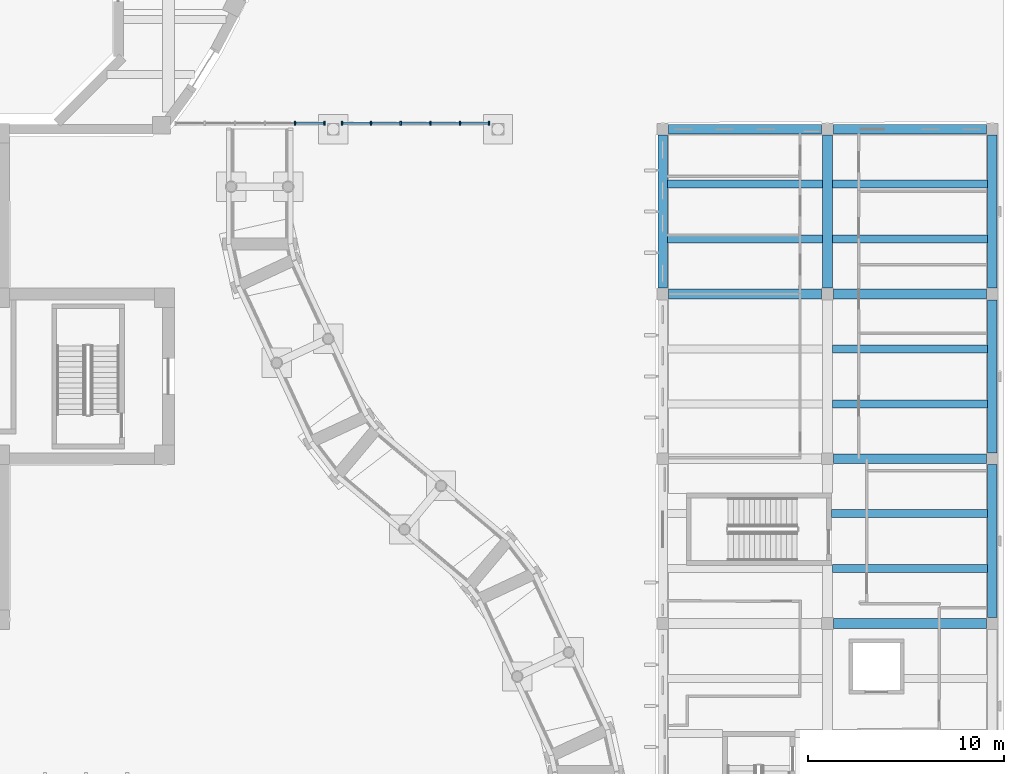
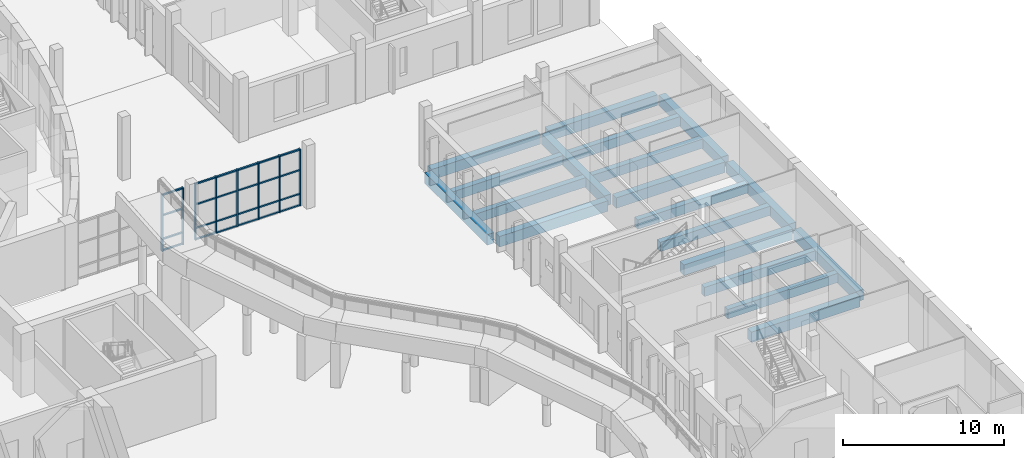
# One storey, part 19 of 110: 32 members, 19 beams, 2 elements without a shape of their own.
"""IFC4 building model written with IfcOpenShell, lengths in metres."""

from ifc_helpers import new_model, si_unit, direction, frame, origin, origin_2d, place, context, subcontext, project, spatial, rectangle, extrude, material, layer, layer_set, material_profile, profile_set, type_object, element, aggregate, save


model = new_model("IFC4")

# Units and contexts
model_context = context("Model", 3, precision=1e-05, world=origin(), true_north=direction((0.0, 1.0)))
body_context = subcontext(model_context, "Body", "Model", "MODEL_VIEW")
ifc_project = project(units=[si_unit("LENGTHUNIT", "METRE"), si_unit("AREAUNIT", "SQUARE_METRE"), si_unit("VOLUMEUNIT", "CUBIC_METRE"), si_unit("PLANEANGLEUNIT", "RADIAN"), si_unit("MASSUNIT", "GRAM", prefix="KILO")], contexts=[model_context])

# Site, building, storey
site_placement = place(None, origin())
site = spatial("IfcSite", under=ifc_project, at=site_placement, CompositionType="ELEMENT")
building_placement = place(site_placement, origin())
building = spatial("IfcBuilding", under=site, at=building_placement, Name="Larchfold Concert Hall", CompositionType="ELEMENT")
storey_placement = place(building_placement, origin())
storey = spatial("IfcBuildingStorey", under=building, at=storey_placement, Name="L00", CompositionType="ELEMENT", Elevation=0.0)

# Curtain wall, members
ifc_material_1 = material(Name="Anodised graphite aluminium curtain wall", Category="aluminium")
ifc_layer = layer(ifc_material_1, 0.199951171875)
ifc_layer_set = layer_set([ifc_layer], Name="Anodised graphite aluminium curtain wall")
curtain_wall_type = type_object("IfcCurtainWallType", Name="Curtain wall PO", PredefinedType="NOTDEFINED", material=ifc_layer_set)
curtain_wall_1_placement = place(storey_placement, origin())
curtain_wall_1 = element("IfcCurtainWall", 1, at=curtain_wall_1_placement, inside=storey, type_object=curtain_wall_type, Name="Curtain wall CW0292", PredefinedType="NOTDEFINED")
ifc_material_2 = material(Name="Anodised graphite aluminium mullion", Category="aluminium")
ifc_material_profile_1 = material_profile(ifc_material_2, rectangle(XDim=0.199951171875, YDim=0.080078125, at=origin_2d()))
ifc_profile_set_1 = profile_set([ifc_material_profile_1], Name="Anodised graphite aluminium mullion")
member_type_1 = type_object("IfcMemberType", Name="Aluminium mullion 80x200", PredefinedType="MULLION", material=ifc_profile_set_1)
member_1_placement = place(storey_placement, frame((65.854736328125, 59.699951171875, 0.0), z_axis=(0.0, 0.0, 1.0), x_axis=(0.0, 1.0, 0.0)))
member_1 = element("IfcMember", 2, at=member_1_placement, type_object=member_type_1, Name="CW0292 mullion 5", PredefinedType="MULLION", context=body_context, shape_type="SweptSolid", body=[
    extrude(rectangle(XDim=0.199951171875, YDim=0.080078125, at=origin_2d()), origin(), (0.0, 0.0, 1.0), 4.300048828125),
])
member_2_placement = place(storey_placement, frame((67.35009765625, 59.699951171875, 0.0), z_axis=(0.0, 0.0, 1.0), x_axis=(0.0, 1.0, 0.0)))
member_2 = element("IfcMember", 3, at=member_2_placement, type_object=member_type_1, Name="CW0292 mullion 6", PredefinedType="MULLION", context=body_context, shape_type="SweptSolid", body=[
    extrude(rectangle(XDim=0.199951171875, YDim=0.080078125, at=origin_2d()), origin(), (0.0, 0.0, 1.0), 4.300048828125),
])

curtain_wall_2_placement = place(storey_placement, origin())
curtain_wall_2 = element("IfcCurtainWall", 4, at=curtain_wall_2_placement, inside=storey, type_object=curtain_wall_type, Name="Curtain wall CW0293", PredefinedType="NOTDEFINED")
member_3_placement = place(storey_placement, frame((68.25, 59.699951171875, 0.0), z_axis=(0.0, 0.0, 1.0), x_axis=(0.0, 1.0, 0.0)))
member_3 = element("IfcMember", 5, at=member_3_placement, type_object=member_type_1, Name="CW0293 mullion 1", PredefinedType="MULLION", context=body_context, shape_type="SweptSolid", body=[
    extrude(rectangle(XDim=0.199951171875, YDim=0.080078125, at=origin_2d()), origin(), (0.0, 0.0, 1.0), 4.300048828125),
])
member_4_placement = place(storey_placement, frame((69.72607421875, 59.699951171875, 0.0), z_axis=(0.0, 0.0, 1.0), x_axis=(0.0, 1.0, 0.0)))
member_4 = element("IfcMember", 6, at=member_4_placement, type_object=member_type_1, Name="CW0293 mullion 2", PredefinedType="MULLION", context=body_context, shape_type="SweptSolid", body=[
    extrude(rectangle(XDim=0.199951171875, YDim=0.080078125, at=origin_2d()), origin(), (0.0, 0.0, 1.0), 4.300048828125),
])
member_5_placement = place(storey_placement, frame((71.241943359375, 59.699951171875, 0.0), z_axis=(0.0, 0.0, 1.0), x_axis=(0.0, 1.0, 0.0)))
member_5 = element("IfcMember", 7, at=member_5_placement, type_object=member_type_1, Name="CW0293 mullion 3", PredefinedType="MULLION", context=body_context, shape_type="SweptSolid", body=[
    extrude(rectangle(XDim=0.199951171875, YDim=0.080078125, at=origin_2d()), origin(), (0.0, 0.0, 1.0), 4.300048828125),
])
member_6_placement = place(storey_placement, frame((72.758056640625, 59.699951171875, 0.0), z_axis=(0.0, 0.0, 1.0), x_axis=(0.0, 1.0, 0.0)))
member_6 = element("IfcMember", 8, at=member_6_placement, type_object=member_type_1, Name="CW0293 mullion 4", PredefinedType="MULLION", context=body_context, shape_type="SweptSolid", body=[
    extrude(rectangle(XDim=0.199951171875, YDim=0.080078125, at=origin_2d()), origin(), (0.0, 0.0, 1.0), 4.300048828125),
])
member_7_placement = place(storey_placement, frame((74.27392578125, 59.699951171875, 0.0), z_axis=(0.0, 0.0, 1.0), x_axis=(0.0, 1.0, 0.0)))
member_7 = element("IfcMember", 9, at=member_7_placement, type_object=member_type_1, Name="CW0293 mullion 5", PredefinedType="MULLION", context=body_context, shape_type="SweptSolid", body=[
    extrude(rectangle(XDim=0.199951171875, YDim=0.080078125, at=origin_2d()), origin(), (0.0, 0.0, 1.0), 4.300048828125),
])
member_8_placement = place(storey_placement, frame((75.75, 59.699951171875, 0.0), z_axis=(0.0, 0.0, 1.0), x_axis=(0.0, 1.0, 0.0)))
member_8 = element("IfcMember", 10, at=member_8_placement, type_object=member_type_1, Name="CW0293 mullion 6", PredefinedType="MULLION", context=body_context, shape_type="SweptSolid", body=[
    extrude(rectangle(XDim=0.199951171875, YDim=0.080078125, at=origin_2d()), origin(), (0.0, 0.0, 1.0), 4.300048828125),
])

# Member
ifc_material_3 = material(Name="Anodised graphite aluminium transom", Category="aluminium")
ifc_material_profile_2 = material_profile(ifc_material_3, rectangle(XDim=0.1201171875, YDim=0.10009765625, at=origin_2d()))
ifc_profile_set_2 = profile_set([ifc_material_profile_2], Name="Anodised graphite aluminium transom")
member_type_2 = type_object("IfcMemberType", Name="Aluminium transom 100x120", PredefinedType="USERDEFINED", material=ifc_profile_set_2)
member_9_placement = place(storey_placement, frame((65.894775390625, 59.699951171875, 0.050048828125), z_axis=(1.0, 0.0, 0.0), x_axis=(0.0, 1.0, 0.0)))
member_9 = element("IfcMember", 11, at=member_9_placement, type_object=member_type_2, Name="CW0292 transom 5.1", ObjectType="TRANSOM", PredefinedType="USERDEFINED", context=body_context, shape_type="SweptSolid", body=[
    extrude(rectangle(XDim=0.1201171875, YDim=0.10009765625, at=origin_2d()), origin(), (0.0, 0.0, 1.0), 1.415283203125),
])

member_10_placement = place(storey_placement, frame((65.894775390625, 59.699951171875, 0.89990234375), z_axis=(1.0, 0.0, 0.0), x_axis=(0.0, 1.0, 0.0)))
member_10 = element("IfcMember", 12, at=member_10_placement, type_object=member_type_2, Name="CW0292 transom 5.2", ObjectType="TRANSOM", PredefinedType="USERDEFINED", context=body_context, shape_type="SweptSolid", body=[
    extrude(rectangle(XDim=0.1201171875, YDim=0.10009765625, at=origin_2d()), origin(), (0.0, 0.0, 1.0), 1.415283203125),
])

member_11_placement = place(storey_placement, frame((65.894775390625, 59.699951171875, 2.699951171875), z_axis=(1.0, 0.0, 0.0), x_axis=(0.0, 1.0, 0.0)))
member_11 = element("IfcMember", 13, at=member_11_placement, type_object=member_type_2, Name="CW0292 transom 5.3", ObjectType="TRANSOM", PredefinedType="USERDEFINED", context=body_context, shape_type="SweptSolid", body=[
    extrude(rectangle(XDim=0.1201171875, YDim=0.10009765625, at=origin_2d()), origin(), (0.0, 0.0, 1.0), 1.415283203125),
])

member_12_placement = place(storey_placement, frame((65.894775390625, 59.699951171875, 4.25), z_axis=(1.0, 0.0, 0.0), x_axis=(0.0, 1.0, 0.0)))
member_12 = element("IfcMember", 14, at=member_12_placement, type_object=member_type_2, Name="CW0292 transom 5.4", ObjectType="TRANSOM", PredefinedType="USERDEFINED", context=body_context, shape_type="SweptSolid", body=[
    extrude(rectangle(XDim=0.1201171875, YDim=0.10009765625, at=origin_2d()), origin(), (0.0, 0.0, 1.0), 1.415283203125),
])

aggregate(curtain_wall_1, [member_1, member_2, member_9, member_10, member_11, member_12])

member_13_placement = place(storey_placement, frame((68.2900390625, 59.699951171875, 0.050048828125), z_axis=(1.0, 0.0, 0.0), x_axis=(0.0, 1.0, 0.0)))
member_13 = element("IfcMember", 15, at=member_13_placement, type_object=member_type_2, Name="CW0293 transom 1.1", ObjectType="TRANSOM", PredefinedType="USERDEFINED", context=body_context, shape_type="SweptSolid", body=[
    extrude(rectangle(XDim=0.1201171875, YDim=0.10009765625, at=origin_2d()), origin(), (0.0, 0.0, 1.0), 1.39599609375),
])

member_14_placement = place(storey_placement, frame((68.2900390625, 59.699951171875, 0.89990234375), z_axis=(1.0, 0.0, 0.0), x_axis=(0.0, 1.0, 0.0)))
member_14 = element("IfcMember", 16, at=member_14_placement, type_object=member_type_2, Name="CW0293 transom 1.2", ObjectType="TRANSOM", PredefinedType="USERDEFINED", context=body_context, shape_type="SweptSolid", body=[
    extrude(rectangle(XDim=0.1201171875, YDim=0.10009765625, at=origin_2d()), origin(), (0.0, 0.0, 1.0), 1.39599609375),
])

member_15_placement = place(storey_placement, frame((68.2900390625, 59.699951171875, 2.699951171875), z_axis=(1.0, 0.0, 0.0), x_axis=(0.0, 1.0, 0.0)))
member_15 = element("IfcMember", 17, at=member_15_placement, type_object=member_type_2, Name="CW0293 transom 1.3", ObjectType="TRANSOM", PredefinedType="USERDEFINED", context=body_context, shape_type="SweptSolid", body=[
    extrude(rectangle(XDim=0.1201171875, YDim=0.10009765625, at=origin_2d()), origin(), (0.0, 0.0, 1.0), 1.39599609375),
])

member_16_placement = place(storey_placement, frame((68.2900390625, 59.699951171875, 4.25), z_axis=(1.0, 0.0, 0.0), x_axis=(0.0, 1.0, 0.0)))
member_16 = element("IfcMember", 18, at=member_16_placement, type_object=member_type_2, Name="CW0293 transom 1.4", ObjectType="TRANSOM", PredefinedType="USERDEFINED", context=body_context, shape_type="SweptSolid", body=[
    extrude(rectangle(XDim=0.1201171875, YDim=0.10009765625, at=origin_2d()), origin(), (0.0, 0.0, 1.0), 1.39599609375),
])

member_17_placement = place(storey_placement, frame((69.765869140625, 59.699951171875, 0.050048828125), z_axis=(1.0, 0.0, 0.0), x_axis=(0.0, 1.0, 0.0)))
member_17 = element("IfcMember", 19, at=member_17_placement, type_object=member_type_2, Name="CW0293 transom 2.1", ObjectType="TRANSOM", PredefinedType="USERDEFINED", context=body_context, shape_type="SweptSolid", body=[
    extrude(rectangle(XDim=0.1201171875, YDim=0.10009765625, at=origin_2d()), origin(), (0.0, 0.0, 1.0), 1.43603515625),
])

member_18_placement = place(storey_placement, frame((69.765869140625, 59.699951171875, 0.89990234375), z_axis=(1.0, 0.0, 0.0), x_axis=(0.0, 1.0, 0.0)))
member_18 = element("IfcMember", 20, at=member_18_placement, type_object=member_type_2, Name="CW0293 transom 2.2", ObjectType="TRANSOM", PredefinedType="USERDEFINED", context=body_context, shape_type="SweptSolid", body=[
    extrude(rectangle(XDim=0.1201171875, YDim=0.10009765625, at=origin_2d()), origin(), (0.0, 0.0, 1.0), 1.43603515625),
])

member_19_placement = place(storey_placement, frame((69.765869140625, 59.699951171875, 2.699951171875), z_axis=(1.0, 0.0, 0.0), x_axis=(0.0, 1.0, 0.0)))
member_19 = element("IfcMember", 21, at=member_19_placement, type_object=member_type_2, Name="CW0293 transom 2.3", ObjectType="TRANSOM", PredefinedType="USERDEFINED", context=body_context, shape_type="SweptSolid", body=[
    extrude(rectangle(XDim=0.1201171875, YDim=0.10009765625, at=origin_2d()), origin(), (0.0, 0.0, 1.0), 1.43603515625),
])

member_20_placement = place(storey_placement, frame((69.765869140625, 59.699951171875, 4.25), z_axis=(1.0, 0.0, 0.0), x_axis=(0.0, 1.0, 0.0)))
member_20 = element("IfcMember", 22, at=member_20_placement, type_object=member_type_2, Name="CW0293 transom 2.4", ObjectType="TRANSOM", PredefinedType="USERDEFINED", context=body_context, shape_type="SweptSolid", body=[
    extrude(rectangle(XDim=0.1201171875, YDim=0.10009765625, at=origin_2d()), origin(), (0.0, 0.0, 1.0), 1.43603515625),
])

member_21_placement = place(storey_placement, frame((71.281982421875, 59.699951171875, 0.050048828125), z_axis=(1.0, 0.0, 0.0), x_axis=(0.0, 1.0, 0.0)))
member_21 = element("IfcMember", 23, at=member_21_placement, type_object=member_type_2, Name="CW0293 transom 3.1", ObjectType="TRANSOM", PredefinedType="USERDEFINED", context=body_context, shape_type="SweptSolid", body=[
    extrude(rectangle(XDim=0.1201171875, YDim=0.10009765625, at=origin_2d()), origin(), (0.0, 0.0, 1.0), 1.43603515625),
])

member_22_placement = place(storey_placement, frame((71.281982421875, 59.699951171875, 0.89990234375), z_axis=(1.0, 0.0, 0.0), x_axis=(0.0, 1.0, 0.0)))
member_22 = element("IfcMember", 24, at=member_22_placement, type_object=member_type_2, Name="CW0293 transom 3.2", ObjectType="TRANSOM", PredefinedType="USERDEFINED", context=body_context, shape_type="SweptSolid", body=[
    extrude(rectangle(XDim=0.1201171875, YDim=0.10009765625, at=origin_2d()), origin(), (0.0, 0.0, 1.0), 1.43603515625),
])

member_23_placement = place(storey_placement, frame((71.281982421875, 59.699951171875, 2.699951171875), z_axis=(1.0, 0.0, 0.0), x_axis=(0.0, 1.0, 0.0)))
member_23 = element("IfcMember", 25, at=member_23_placement, type_object=member_type_2, Name="CW0293 transom 3.3", ObjectType="TRANSOM", PredefinedType="USERDEFINED", context=body_context, shape_type="SweptSolid", body=[
    extrude(rectangle(XDim=0.1201171875, YDim=0.10009765625, at=origin_2d()), origin(), (0.0, 0.0, 1.0), 1.43603515625),
])

member_24_placement = place(storey_placement, frame((71.281982421875, 59.699951171875, 4.25), z_axis=(1.0, 0.0, 0.0), x_axis=(0.0, 1.0, 0.0)))
member_24 = element("IfcMember", 26, at=member_24_placement, type_object=member_type_2, Name="CW0293 transom 3.4", ObjectType="TRANSOM", PredefinedType="USERDEFINED", context=body_context, shape_type="SweptSolid", body=[
    extrude(rectangle(XDim=0.1201171875, YDim=0.10009765625, at=origin_2d()), origin(), (0.0, 0.0, 1.0), 1.43603515625),
])

member_25_placement = place(storey_placement, frame((72.798095703125, 59.699951171875, 0.050048828125), z_axis=(1.0, 0.0, 0.0), x_axis=(0.0, 1.0, 0.0)))
member_25 = element("IfcMember", 27, at=member_25_placement, type_object=member_type_2, Name="CW0293 transom 4.1", ObjectType="TRANSOM", PredefinedType="USERDEFINED", context=body_context, shape_type="SweptSolid", body=[
    extrude(rectangle(XDim=0.1201171875, YDim=0.10009765625, at=origin_2d()), origin(), (0.0, 0.0, 1.0), 1.43603515625),
])

member_26_placement = place(storey_placement, frame((72.798095703125, 59.699951171875, 0.89990234375), z_axis=(1.0, 0.0, 0.0), x_axis=(0.0, 1.0, 0.0)))
member_26 = element("IfcMember", 28, at=member_26_placement, type_object=member_type_2, Name="CW0293 transom 4.2", ObjectType="TRANSOM", PredefinedType="USERDEFINED", context=body_context, shape_type="SweptSolid", body=[
    extrude(rectangle(XDim=0.1201171875, YDim=0.10009765625, at=origin_2d()), origin(), (0.0, 0.0, 1.0), 1.43603515625),
])

member_27_placement = place(storey_placement, frame((72.798095703125, 59.699951171875, 2.699951171875), z_axis=(1.0, 0.0, 0.0), x_axis=(0.0, 1.0, 0.0)))
member_27 = element("IfcMember", 29, at=member_27_placement, type_object=member_type_2, Name="CW0293 transom 4.3", ObjectType="TRANSOM", PredefinedType="USERDEFINED", context=body_context, shape_type="SweptSolid", body=[
    extrude(rectangle(XDim=0.1201171875, YDim=0.10009765625, at=origin_2d()), origin(), (0.0, 0.0, 1.0), 1.43603515625),
])

member_28_placement = place(storey_placement, frame((72.798095703125, 59.699951171875, 4.25), z_axis=(1.0, 0.0, 0.0), x_axis=(0.0, 1.0, 0.0)))
member_28 = element("IfcMember", 30, at=member_28_placement, type_object=member_type_2, Name="CW0293 transom 4.4", ObjectType="TRANSOM", PredefinedType="USERDEFINED", context=body_context, shape_type="SweptSolid", body=[
    extrude(rectangle(XDim=0.1201171875, YDim=0.10009765625, at=origin_2d()), origin(), (0.0, 0.0, 1.0), 1.43603515625),
])

member_29_placement = place(storey_placement, frame((74.31396484375, 59.699951171875, 0.050048828125), z_axis=(1.0, 0.0, 0.0), x_axis=(0.0, 1.0, 0.0)))
member_29 = element("IfcMember", 31, at=member_29_placement, type_object=member_type_2, Name="CW0293 transom 5.1", ObjectType="TRANSOM", PredefinedType="USERDEFINED", context=body_context, shape_type="SweptSolid", body=[
    extrude(rectangle(XDim=0.1201171875, YDim=0.10009765625, at=origin_2d()), origin(), (0.0, 0.0, 1.0), 1.39599609375),
])

member_30_placement = place(storey_placement, frame((74.31396484375, 59.699951171875, 0.89990234375), z_axis=(1.0, 0.0, 0.0), x_axis=(0.0, 1.0, 0.0)))
member_30 = element("IfcMember", 32, at=member_30_placement, type_object=member_type_2, Name="CW0293 transom 5.2", ObjectType="TRANSOM", PredefinedType="USERDEFINED", context=body_context, shape_type="SweptSolid", body=[
    extrude(rectangle(XDim=0.1201171875, YDim=0.10009765625, at=origin_2d()), origin(), (0.0, 0.0, 1.0), 1.39599609375),
])

member_31_placement = place(storey_placement, frame((74.31396484375, 59.699951171875, 2.699951171875), z_axis=(1.0, 0.0, 0.0), x_axis=(0.0, 1.0, 0.0)))
member_31 = element("IfcMember", 33, at=member_31_placement, type_object=member_type_2, Name="CW0293 transom 5.3", ObjectType="TRANSOM", PredefinedType="USERDEFINED", context=body_context, shape_type="SweptSolid", body=[
    extrude(rectangle(XDim=0.1201171875, YDim=0.10009765625, at=origin_2d()), origin(), (0.0, 0.0, 1.0), 1.39599609375),
])

member_32_placement = place(storey_placement, frame((74.31396484375, 59.699951171875, 4.25), z_axis=(1.0, 0.0, 0.0), x_axis=(0.0, 1.0, 0.0)))
member_32 = element("IfcMember", 34, at=member_32_placement, type_object=member_type_2, Name="CW0293 transom 5.4", ObjectType="TRANSOM", PredefinedType="USERDEFINED", context=body_context, shape_type="SweptSolid", body=[
    extrude(rectangle(XDim=0.1201171875, YDim=0.10009765625, at=origin_2d()), origin(), (0.0, 0.0, 1.0), 1.39599609375),
])

aggregate(curtain_wall_2, [member_3, member_4, member_5, member_6, member_7, member_8, member_13, member_14, member_15, member_16, member_17, member_18, member_19, member_20, member_21, member_22, member_23, member_24, member_25, member_26, member_27, member_28, member_29, member_30, member_31, member_32])

# Beams
ifc_material_4 = material(Name="Concrete C35/45", Category="concrete")
ifc_material_profile_3 = material_profile(ifc_material_4, rectangle(XDim=0.39990234375, YDim=0.699951171875, at=origin_2d()))
ifc_profile_set_3 = profile_set([ifc_material_profile_3], Name="Concrete C35/45")
beam_type_1 = type_object("IfcBeamType", Name="Beam RC 400x700", PredefinedType="BEAM", material=ifc_profile_set_3)
beam_1_placement = place(storey_placement, frame((93.25, 37.0, -0.510009765625), z_axis=(1.0, 0.0, 0.0), x_axis=(0.0, 1.0, 0.0)))
element("IfcBeam", 35, at=beam_1_placement, inside=storey, type_object=beam_type_1, Name="Beam B0503", PredefinedType="BEAM", context=body_context, shape_type="SweptSolid", body=[
    extrude(rectangle(XDim=0.39990234375, YDim=0.699951171875, at=origin_2d()), origin(), (0.0, 0.0, 1.0), 7.89990234375),
])
beam_2_placement = place(storey_placement, frame((93.199951171875, 39.800048828125, -0.510009765625), z_axis=(1.0, 0.0, 0.0), x_axis=(0.0, 1.0, 0.0)))
element("IfcBeam", 36, at=beam_2_placement, inside=storey, type_object=beam_type_1, Name="Beam B0505", PredefinedType="BEAM", context=body_context, shape_type="SweptSolid", body=[
    extrude(rectangle(XDim=0.39990234375, YDim=0.699951171875, at=origin_2d()), origin(), (0.0, 0.0, 1.0), 7.949951171875),
])
for number, where, z_axis, x_axis, name in (
    (37, (93.25, 45.39990234375, -0.510009765625), (1.0, 0.0, 0.0), (0.0, 1.0, 0.0), "Beam B0507"),
    (38, (93.25, 48.199951171875, -0.510009765625), (1.0, 0.0, 0.0), (0.0, 1.0, 0.0), "Beam B0509"),
    (39, (84.85009765625, 53.800048828125, -0.510009765625), (1.0, 0.0, 0.0), (0.0, 1.0, 0.0), "Beam B0510"),
    (40, (93.25, 53.800048828125, -0.510009765625), (1.0, 0.0, 0.0), (0.0, 1.0, 0.0), "Beam B0511"),
    (41, (84.85009765625, 56.60009765625, -0.510009765625), (1.0, 0.0, 0.0), (0.0, 1.0, 0.0), "Beam B0512"),
    (42, (93.25, 56.60009765625, -0.510009765625), (1.0, 0.0, 0.0), (0.0, 1.0, 0.0), "Beam B0513"),
):
    element("IfcBeam", number, at=place(storey_placement, frame(where, z_axis=z_axis, x_axis=x_axis)), inside=storey, type_object=beam_type_1, Name=name, PredefinedType="BEAM", context=body_context, shape_type="SweptSolid", body=[
        extrude(rectangle(XDim=0.39990234375, YDim=0.699951171875, at=origin_2d()), origin(), (0.0, 0.0, 1.0), 7.89990234375),
    ])
ifc_material_5 = material(Name="Concrete C35/45", Category="concrete")
ifc_material_profile_4 = material_profile(ifc_material_5, rectangle(XDim=0.5, YDim=0.800048828125, at=origin_2d()))
ifc_profile_set_4 = profile_set([ifc_material_profile_4], Name="Concrete C35/45")
beam_type_2 = type_object("IfcBeamType", Name="Beam RC 500x800", PredefinedType="BEAM", material=ifc_profile_set_4)
for number, where, z_axis, x_axis, name in (
    (43, (84.60009765625, 51.300048828125, -0.56005859375), (0.0, 1.0, 0.0), (-1.0, 0.0, 0.0), "Beam B0448"),
    (44, (93.0, 51.300048828125, -0.56005859375), (0.0, 1.0, 0.0), (-1.0, 0.0, 0.0), "Beam B0456"),
    (45, (101.39990234375, 34.5, -0.56005859375), (0.0, 1.0, 0.0), (-1.0, 0.0, 0.0), "Beam B0461"),
    (46, (101.39990234375, 42.89990234375, -0.56005859375), (0.0, 1.0, 0.0), (-1.0, 0.0, 0.0), "Beam B0462"),
    (47, (101.39990234375, 51.300048828125, -0.56005859375), (0.0, 1.0, 0.0), (-1.0, 0.0, 0.0), "Beam B0463"),
    (48, (93.300048828125, 34.199951171875, -0.56005859375), (1.0, 0.0, 0.0), (0.0, 1.0, 0.0), "Beam B0475"),
    (49, (93.300048828125, 42.60009765625, -0.56005859375), (1.0, 0.0, 0.0), (0.0, 1.0, 0.0), "Beam B0477"),
    (50, (84.89990234375, 51.0, -0.56005859375), (1.0, 0.0, 0.0), (0.0, 1.0, 0.0), "Beam B0478"),
    (51, (93.300048828125, 51.0, -0.56005859375), (1.0, 0.0, 0.0), (0.0, 1.0, 0.0), "Beam B0479"),
    (52, (84.89990234375, 59.39990234375, -0.56005859375), (1.0, 0.0, 0.0), (0.0, 1.0, 0.0), "Beam B0480"),
    (53, (93.300048828125, 59.39990234375, -0.56005859375), (1.0, 0.0, 0.0), (0.0, 1.0, 0.0), "Beam B0481"),
):
    element("IfcBeam", number, at=place(storey_placement, frame(where, z_axis=z_axis, x_axis=x_axis)), inside=storey, type_object=beam_type_2, Name=name, PredefinedType="BEAM", context=body_context, shape_type="SweptSolid", body=[
        extrude(rectangle(XDim=0.5, YDim=0.800048828125, at=origin_2d()), origin(), (0.0, 0.0, 1.0), 7.800048828125),
    ])

save(model, "model.ifc")
